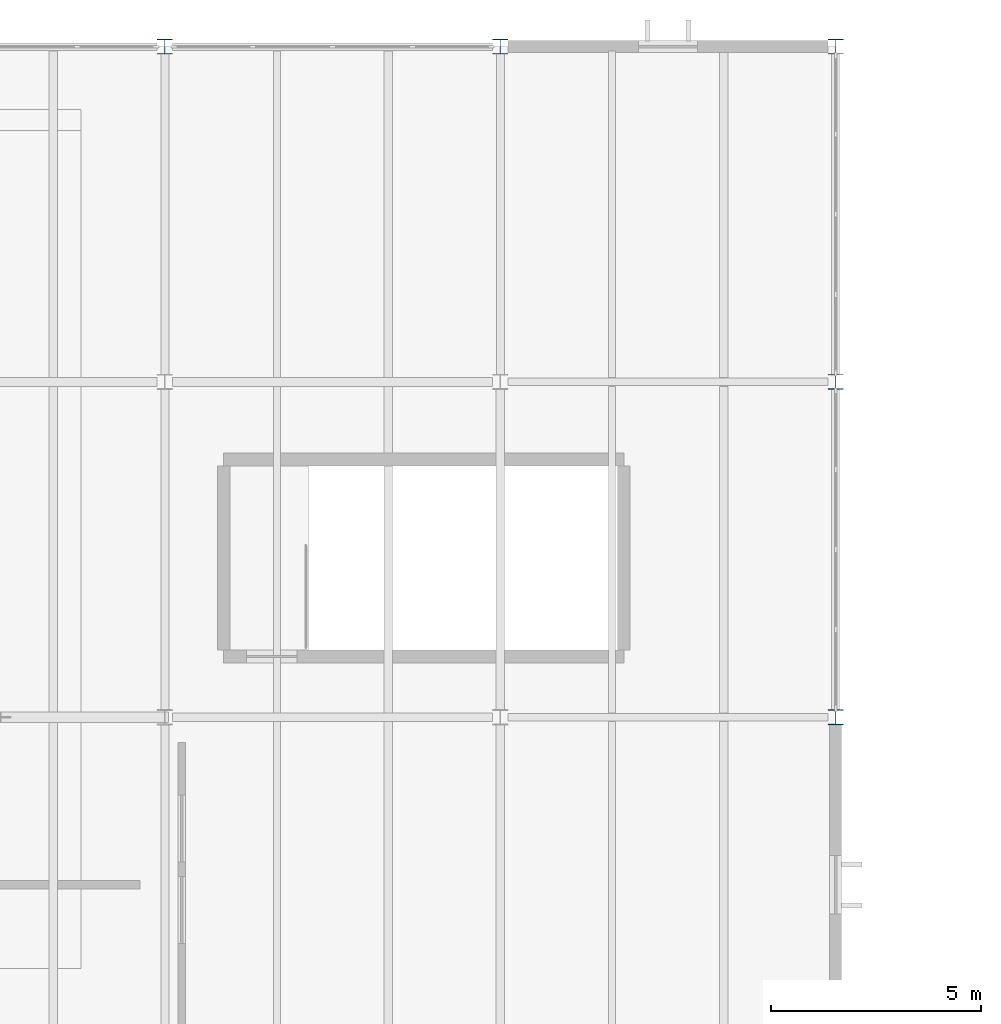
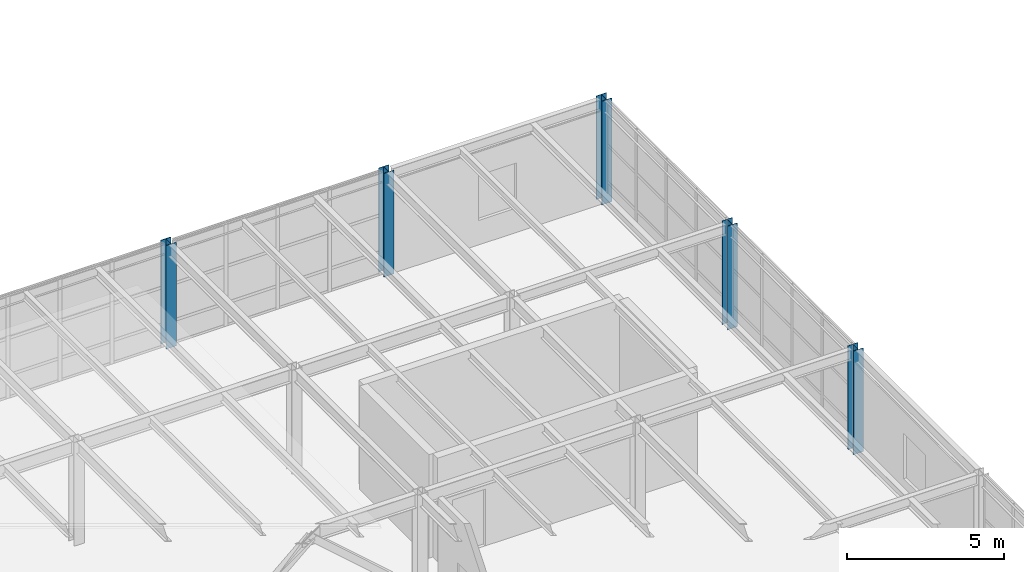
# One storey, part 4 of 34: 5 columns.
"""IFC4 building model written with IfcOpenShell, lengths in metres."""

from ifc_helpers import new_model, si_unit, direction, frame, origin, origin_2d, place, context, subcontext, project, spatial, i_section, extrude, material, material_profile, profile_set, type_object, element, save


model = new_model("IFC4")

# Units and contexts
model_context = context("Model", 3, precision=1e-05, world=origin(), true_north=direction((0.0, 1.0)))
body_context = subcontext(model_context, "Body", "Model", "MODEL_VIEW")
ifc_project = project(units=[si_unit("LENGTHUNIT", "METRE"), si_unit("AREAUNIT", "SQUARE_METRE"), si_unit("VOLUMEUNIT", "CUBIC_METRE"), si_unit("PLANEANGLEUNIT", "RADIAN"), si_unit("MASSUNIT", "GRAM", prefix="KILO")], contexts=[model_context])

# Site, building, storey
site_placement = place(None, origin())
site = spatial("IfcSite", under=ifc_project, at=site_placement, CompositionType="ELEMENT")
building_placement = place(site_placement, origin())
building = spatial("IfcBuilding", under=site, at=building_placement, Name="Varnela Railside Interchange", CompositionType="ELEMENT")
storey_placement = place(building_placement, frame((0.0, 0.0, 19.60009765625)))
storey = spatial("IfcBuildingStorey", under=building, at=storey_placement, Name="L04", CompositionType="ELEMENT", Elevation=19.60009765625)

# Columns
ifc_material = material(Name="Steel AR 350 (350 MPa)", Category="steel")
ifc_material_profile = material_profile(ifc_material, i_section(OverallWidth=0.3701171875, OverallDepth=0.360107421875, WebThickness=0.01220703125, FlangeThickness=0.019775390625, at=origin_2d()), Name="W360x147")
ifc_profile_set = profile_set([ifc_material_profile], Name="Steel AR 350 (350 MPa)")
column_type = type_object("IfcColumnType", Name="Superstructure Steel Col C-19", PredefinedType="COLUMN", material=ifc_profile_set)
for number, where, z_axis, x_axis, name in (
    (1, (36.0, 94.0, 0.0), (0.0, 0.0, 1.0), (1.0, 0.0, 0.0), "Column C-19 (L04) (CL-0959)"),
    (2, (44.0, 94.0, 0.0), (0.0, 0.0, 1.0), (1.0, 0.0, 0.0), "Column C-19 (L04) (CL-0966)"),
    (3, (52.0, 78.0, 0.0), (0.0, 0.0, 1.0), (1.0, 0.0, 0.0), "Column C-19 (L04) (CL-0971)"),
    (4, (52.0, 86.0, 0.0), (0.0, 0.0, 1.0), (1.0, 0.0, 0.0), "Column C-19 (L04) (CL-0972)"),
    (5, (52.0, 94.0, 0.0), (0.0, 0.0, 1.0), (1.0, 0.0, 0.0), "Column C-19 (L04) (CL-0973)"),
):
    element("IfcColumn", number, at=place(storey_placement, frame(where, z_axis=z_axis, x_axis=x_axis)), inside=storey, type_object=column_type, Name=name, PredefinedType="COLUMN", context=body_context, shape_type="SweptSolid", body=[
        extrude(i_section(OverallWidth=0.3701171875, OverallDepth=0.360107421875, WebThickness=0.01220703125, FlangeThickness=0.019775390625, at=origin_2d()), origin(), (0.0, 0.0, 1.0), 4.02001953125),
    ])

save(model, "model.ifc")
